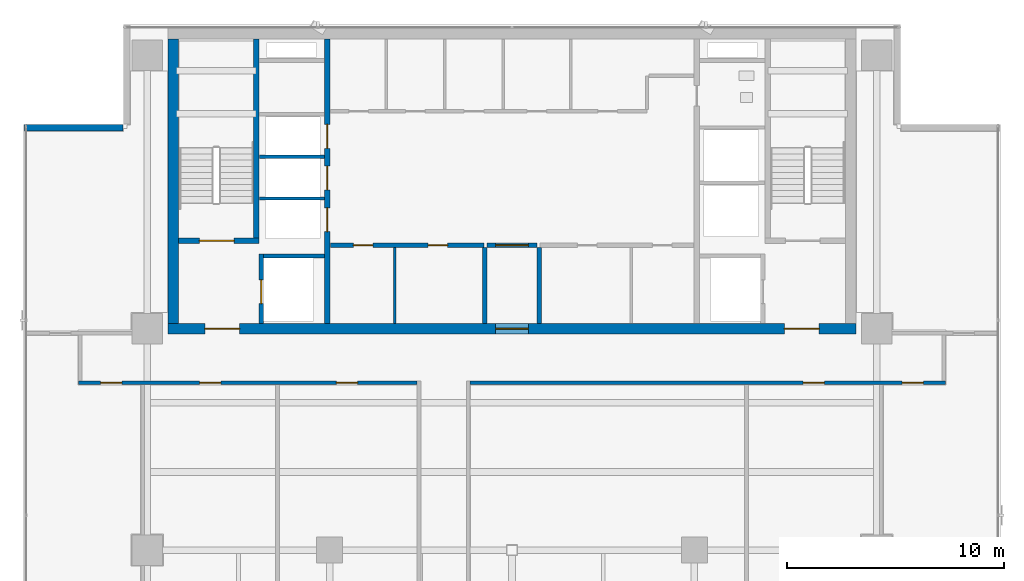
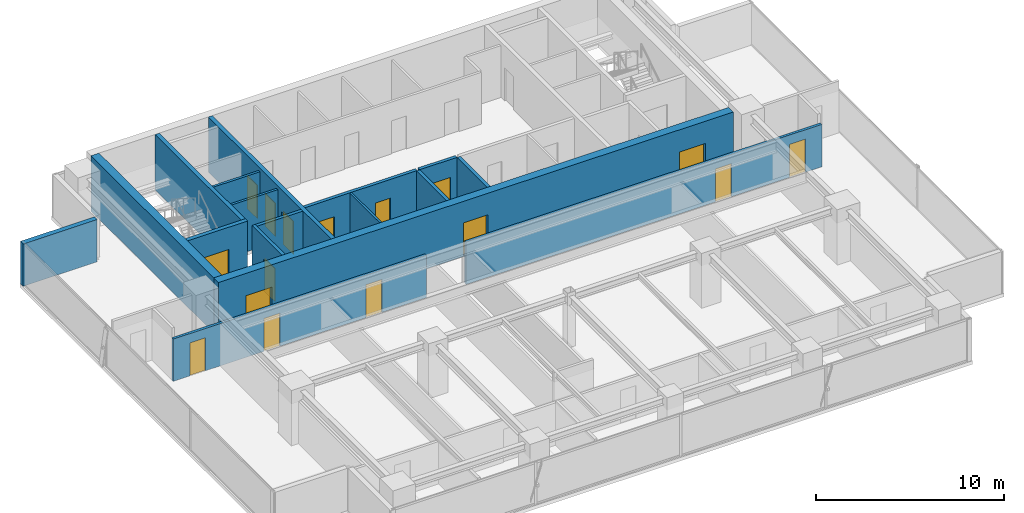
# One storey, part 20 of 27: 17 walls, 16 doors, 16 openings.
"""IFC4 building model written with IfcOpenShell, lengths in metres."""

from ifc_helpers import new_model, si_unit, direction, frame, frame_2d, origin, place, context, subcontext, project, spatial, rectangle, extrude, source, transform, mapped, material, layer, layer_set, type_object, element, fill, save


model = new_model("IFC4")

# Units and contexts
model_context = context("Model", 3, precision=1e-05, world=origin(), true_north=direction((0.0, 1.0)))
body_context = subcontext(model_context, "Body", "Model", "MODEL_VIEW")
ifc_project = project(units=[si_unit("LENGTHUNIT", "METRE"), si_unit("AREAUNIT", "SQUARE_METRE"), si_unit("VOLUMEUNIT", "CUBIC_METRE"), si_unit("PLANEANGLEUNIT", "RADIAN"), si_unit("MASSUNIT", "GRAM", prefix="KILO")], contexts=[model_context])

# Site, building, storey
site_placement = place(None, origin())
site = spatial("IfcSite", under=ifc_project, at=site_placement, CompositionType="ELEMENT")
building_placement = place(site_placement, origin())
building = spatial("IfcBuilding", under=site, at=building_placement, Name="Sumidabori Civic Tower", CompositionType="ELEMENT")
storey_placement = place(building_placement, frame((0.0, 0.0, 257.60009765625)))
storey = spatial("IfcBuildingStorey", under=building, at=storey_placement, Name="L67", CompositionType="ELEMENT", Elevation=257.60009765625)

# Wall
ifc_material_1 = material(Name="Concrete C50/60", Category="concrete")
ifc_layer_1 = layer(ifc_material_1, 0.199951171875, Name="Concrete C50/60")
ifc_layer_set_1 = layer_set([ifc_layer_1], Name="Concrete C50/60")
wall_type_1 = type_object("IfcWallType", Name="WL-SHAFT-200", PredefinedType="SHEAR", material=ifc_layer_set_1)
shared_shape_1 = source(origin(), body_context, "Body", "SweptSolid", [
    extrude(rectangle(XDim=2.824951171875, YDim=0.199951171875, at=frame_2d((1.41259765625, 0.0))), origin(), (0.0, 0.0, 1.0), 3.599853515625),
])
wall_1_placement = place(storey_placement, frame((-11.449951171875, 13.550048828125, 0.0), z_axis=(0.0, 0.0, 1.0), x_axis=(1.0, 0.0, 0.0)))
element("IfcWall", 1, at=wall_1_placement, inside=storey, type_object=wall_type_1, Name="Core Shear Wall L67 EL1-N", PredefinedType="SHEAR", context=body_context, shape_type="MappedRepresentation", body=[
    mapped(shared_shape_1, transform((0.0, 0.0, 0.0), x_axis=(1.0, 0.0, 0.0), y_axis=(0.0, 1.0, 0.0), z_axis=(0.0, 0.0, 1.0), scale=1.0)),
])

# Wall, openings, doors
ifc_layer_2 = layer(ifc_material_1, 0.5, Name="Concrete C50/60")
ifc_layer_set_2 = layer_set([ifc_layer_2], Name="Concrete C50/60")
wall_type_2 = type_object("IfcWallType", Name="WL-CORE-500", PredefinedType="SHEAR", material=ifc_layer_set_2)
shared_shape_2 = source(origin(), body_context, "Body", "SweptSolid", [
    extrude(rectangle(XDim=31.7001953125, YDim=0.5, at=frame_2d((15.85009765625, 0.0))), origin(), (0.0, 0.0, 1.0), 3.599853515625),
])
wall_2_placement = place(storey_placement, frame((-15.85009765625, 10.199951171875, 0.0), z_axis=(0.0, 0.0, 1.0), x_axis=(1.0, 0.0, 0.0)))
wall_2 = element("IfcWall", 2, at=wall_2_placement, inside=storey, type_object=wall_type_2, Name="Core Shear Wall L67 S", PredefinedType="SHEAR", context=body_context, shape_type="MappedRepresentation", body=[
    mapped(shared_shape_2, transform((0.0, 0.0, 0.0), x_axis=(1.0, 0.0, 0.0), y_axis=(0.0, 1.0, 0.0), z_axis=(0.0, 0.0, 1.0), scale=1.0)),
])
opening_1_placement = place(wall_2_placement, frame((1.699951171875, 0.0, 0.0)))
opening_1 = element("IfcOpeningElement", 3, at=opening_1_placement, cuts=wall_2, Name="Opening DR-FD4", PredefinedType="OPENING", context=body_context, shape_type="SweptSolid", body=[
    extrude(rectangle(XDim=1.60009765625, YDim=2.14990234375, at=frame_2d((0.800048828125, 1.074951171875))), frame((0.0, 0.261962890625, 0.0), z_axis=(0.0, -1.0, 0.0), x_axis=(1.0, 0.0, 0.0)), (0.0, 0.0, 1.0), 0.52392578125),
])
opening_2_placement = place(wall_2_placement, frame((28.39990234375, 0.0, 0.0)))
opening_2 = element("IfcOpeningElement", 4, at=opening_2_placement, cuts=wall_2, Name="Opening DR-FD4", PredefinedType="OPENING", context=body_context, shape_type="SweptSolid", body=[
    extrude(rectangle(XDim=1.60009765625, YDim=2.14990234375, at=frame_2d((0.800048828125, 1.074951171875))), frame((0.0, 0.261962890625, 0.0), z_axis=(0.0, -1.0, 0.0), x_axis=(1.0, 0.0, 0.0)), (0.0, 0.0, 1.0), 0.52392578125),
])
opening_3_placement = place(wall_2_placement, frame((15.10009765625, 0.0, 0.0)))
opening_3 = element("IfcOpeningElement", 5, at=opening_3_placement, cuts=wall_2, Name="Opening DR-FD3", PredefinedType="OPENING", context=body_context, shape_type="SweptSolid", body=[
    extrude(rectangle(XDim=1.5, YDim=2.199951171875, at=frame_2d((0.75, 1.10009765625))), frame((0.0, 0.261962890625, 0.0), z_axis=(0.0, -1.0, 0.0), x_axis=(1.0, 0.0, 0.0)), (0.0, 0.0, 1.0), 0.52392578125),
])
ifc_material_2 = material(Name="Steel SN490", Category="steel")
door_type_1 = type_object("IfcDoorType", Name="DR-FD4", OperationType="DOUBLE_DOOR_SINGLE_SWING", PredefinedType="DOOR", material=ifc_material_2)
shared_shape_3 = source(origin(), body_context, "Body", "SweptSolid", [
    extrude(rectangle(XDim=1.60009765625, YDim=2.14990234375, at=frame_2d((0.800048828125, 1.074951171875))), frame((0.0, 0.02490234375, 0.0), z_axis=(0.0, -1.0, 0.0), x_axis=(1.0, 0.0, 0.0)), (0.0, 0.0, 1.0), 0.050048828125),
])
door_1_placement = place(opening_1_placement, origin())
door_1 = element("IfcDoor", 6, at=door_1_placement, inside=storey, type_object=door_type_1, Name="Door DR:L67:ELOB-W", OperationType="DOUBLE_DOOR_SINGLE_SWING", OverallHeight=2.14990234375, OverallWidth=1.60009765625, PredefinedType="DOOR", context=body_context, shape_type="MappedRepresentation", body=[
    mapped(shared_shape_3, transform((0.0, 0.0, 0.0), x_axis=(1.0, 0.0, 0.0), y_axis=(0.0, 1.0, 0.0), z_axis=(0.0, 0.0, 1.0), scale=1.0)),
])
fill(opening_1, door_1)
door_2_placement = place(opening_2_placement, origin())
door_2 = element("IfcDoor", 7, at=door_2_placement, inside=storey, type_object=door_type_1, Name="Door DR:L67:ELOB-E", OperationType="DOUBLE_DOOR_SINGLE_SWING", OverallHeight=2.14990234375, OverallWidth=1.60009765625, PredefinedType="DOOR", context=body_context, shape_type="MappedRepresentation", body=[
    mapped(shared_shape_3, transform((0.0, 0.0, 0.0), x_axis=(1.0, 0.0, 0.0), y_axis=(0.0, 1.0, 0.0), z_axis=(0.0, 0.0, 1.0), scale=1.0)),
])
fill(opening_2, door_2)
door_type_2 = type_object("IfcDoorType", Name="DR-FD-DBL", OperationType="DOUBLE_DOOR_SINGLE_SWING", PredefinedType="DOOR", material=ifc_material_2)
shared_shape_4 = source(origin(), body_context, "Body", "SweptSolid", [
    extrude(rectangle(XDim=1.5, YDim=2.199951171875, at=frame_2d((0.75, 1.10009765625))), frame((0.0, 0.02490234375, 0.0), z_axis=(0.0, -1.0, 0.0), x_axis=(1.0, 0.0, 0.0)), (0.0, 0.0, 1.0), 0.050048828125),
])
door_3_placement = place(opening_3_placement, origin())
door_3 = element("IfcDoor", 8, at=door_3_placement, inside=storey, type_object=door_type_2, Name="Door DR:L67:THROAT-OUT", OperationType="DOUBLE_DOOR_SINGLE_SWING", OverallHeight=2.199951171875, OverallWidth=1.5, PredefinedType="DOOR", context=body_context, shape_type="MappedRepresentation", body=[
    mapped(shared_shape_4, transform((0.0, 0.0, 0.0), x_axis=(1.0, 0.0, 0.0), y_axis=(0.0, 1.0, 0.0), z_axis=(0.0, 0.0, 1.0), scale=1.0)),
])
fill(opening_3, door_3)

# Wall
shared_shape_5 = source(origin(), body_context, "Body", "SweptSolid", [
    extrude(rectangle(XDim=13.10009765625, YDim=0.5, at=frame_2d((6.550048828125, 0.0))), origin(), (0.0, 0.0, 1.0), 3.599853515625),
])
wall_3_placement = place(storey_placement, frame((-15.60009765625, 10.449951171875, 0.0), z_axis=(0.0, 0.0, 1.0), x_axis=(0.0, 1.0, 0.0)))
element("IfcWall", 9, at=wall_3_placement, inside=storey, type_object=wall_type_2, Name="Core Shear Wall L67 W", PredefinedType="SHEAR", context=body_context, shape_type="MappedRepresentation", body=[
    mapped(shared_shape_5, transform((0.0, 0.0, 0.0), x_axis=(1.0, 0.0, 0.0), y_axis=(0.0, 1.0, 0.0), z_axis=(0.0, 0.0, 1.0), scale=1.0)),
])

# Wall, openings, doors
ifc_layer_3 = layer(ifc_material_1, 0.25, Name="Concrete C50/60")
ifc_layer_set_3 = layer_set([ifc_layer_3], Name="Concrete C50/60")
wall_type_3 = type_object("IfcWallType", Name="WL-SHAFT-250", PredefinedType="SHEAR", material=ifc_layer_set_3)
shared_shape_6 = source(origin(), body_context, "Body", "SweptSolid", [
    extrude(rectangle(XDim=13.10009765625, YDim=0.25, at=frame_2d((6.550048828125, 0.0))), origin(), (0.0, 0.0, 1.0), 3.599853515625),
])
wall_4_placement = place(storey_placement, frame((-8.5, 10.449951171875, 0.0), z_axis=(0.0, 0.0, 1.0), x_axis=(0.0, 1.0, 0.0)))
wall_4 = element("IfcWall", 10, at=wall_4_placement, inside=storey, type_object=wall_type_3, Name="Core Shear Wall L67 WEB-W", PredefinedType="SHEAR", context=body_context, shape_type="MappedRepresentation", body=[
    mapped(shared_shape_6, transform((0.0, 0.0, 0.0), x_axis=(1.0, 0.0, 0.0), y_axis=(0.0, 1.0, 0.0), z_axis=(0.0, 0.0, 1.0), scale=1.0)),
])
opening_4_placement = place(wall_4_placement, frame((4.219970703125, 0.0, 0.0)))
opening_4 = element("IfcOpeningElement", 11, at=opening_4_placement, cuts=wall_4, Name="Opening LD-1", PredefinedType="OPENING", context=body_context, shape_type="SweptSolid", body=[
    extrude(rectangle(XDim=1.10009765625, YDim=2.14990234375, at=frame_2d((0.550048828125, 1.074951171875))), frame((0.0, 0.136962890625, 0.0), z_axis=(0.0, -1.0, 0.0), x_axis=(1.0, 0.0, 0.0)), (0.0, 0.0, 1.0), 0.27392578125),
])
opening_5_placement = place(wall_4_placement, frame((6.139892578125, 0.0, 0.0)))
opening_5 = element("IfcOpeningElement", 12, at=opening_5_placement, cuts=wall_4, Name="Opening LD-1", PredefinedType="OPENING", context=body_context, shape_type="SweptSolid", body=[
    extrude(rectangle(XDim=1.10009765625, YDim=2.14990234375, at=frame_2d((0.550048828125, 1.074951171875))), frame((0.0, 0.136962890625, 0.0), z_axis=(0.0, -1.0, 0.0), x_axis=(1.0, 0.0, 0.0)), (0.0, 0.0, 1.0), 0.27392578125),
])
opening_6_placement = place(wall_4_placement, frame((8.06005859375, 0.0, 0.0)))
opening_6 = element("IfcOpeningElement", 13, at=opening_6_placement, cuts=wall_4, Name="Opening LD-1", PredefinedType="OPENING", context=body_context, shape_type="SweptSolid", body=[
    extrude(rectangle(XDim=1.10009765625, YDim=2.14990234375, at=frame_2d((0.550048828125, 1.074951171875))), frame((0.0, 0.136962890625, 0.0), z_axis=(0.0, -1.0, 0.0), x_axis=(1.0, 0.0, 0.0)), (0.0, 0.0, 1.0), 0.27392578125),
])
ifc_material_3 = material(Name="Stainless Steel Hairline Finish", Category="steel")
door_type_3 = type_object("IfcDoorType", Name="DR-LD1", OperationType="DOUBLE_DOOR_SLIDING", PredefinedType="DOOR", material=ifc_material_3)
shared_shape_7 = source(origin(), body_context, "Body", "SweptSolid", [
    extrude(rectangle(XDim=1.10009765625, YDim=2.14990234375, at=frame_2d((0.550048828125, 1.074951171875))), frame((0.0, 0.02490234375, 0.0), z_axis=(0.0, -1.0, 0.0), x_axis=(1.0, 0.0, 0.0)), (0.0, 0.0, 1.0), 0.050048828125),
])
door_4_placement = place(opening_4_placement, origin())
door_4 = element("IfcDoor", 14, at=door_4_placement, inside=storey, type_object=door_type_3, Name="Door DR:L67:LD-PLH1", OperationType="DOUBLE_DOOR_SLIDING", OverallHeight=2.14990234375, OverallWidth=1.10009765625, PredefinedType="DOOR", context=body_context, shape_type="MappedRepresentation", body=[
    mapped(shared_shape_7, transform((0.0, 0.0, 0.0), x_axis=(1.0, 0.0, 0.0), y_axis=(0.0, 1.0, 0.0), z_axis=(0.0, 0.0, 1.0), scale=1.0)),
])
fill(opening_4, door_4)
door_5_placement = place(opening_5_placement, origin())
door_5 = element("IfcDoor", 15, at=door_5_placement, inside=storey, type_object=door_type_3, Name="Door DR:L67:LD-PLH2", OperationType="DOUBLE_DOOR_SLIDING", OverallHeight=2.14990234375, OverallWidth=1.10009765625, PredefinedType="DOOR", context=body_context, shape_type="MappedRepresentation", body=[
    mapped(shared_shape_7, transform((0.0, 0.0, 0.0), x_axis=(1.0, 0.0, 0.0), y_axis=(0.0, 1.0, 0.0), z_axis=(0.0, 0.0, 1.0), scale=1.0)),
])
fill(opening_5, door_5)
door_6_placement = place(opening_6_placement, origin())
door_6 = element("IfcDoor", 16, at=door_6_placement, inside=storey, type_object=door_type_3, Name="Door DR:L67:LD-PLH3", OperationType="DOUBLE_DOOR_SLIDING", OverallHeight=2.14990234375, OverallWidth=1.10009765625, PredefinedType="DOOR", context=body_context, shape_type="MappedRepresentation", body=[
    mapped(shared_shape_7, transform((0.0, 0.0, 0.0), x_axis=(1.0, 0.0, 0.0), y_axis=(0.0, 1.0, 0.0), z_axis=(0.0, 0.0, 1.0), scale=1.0)),
])
fill(opening_6, door_6)

# Wall, opening, door
shared_shape_8 = source(origin(), body_context, "Body", "SweptSolid", [
    extrude(rectangle(XDim=3.705078125, YDim=0.25, at=frame_2d((1.8525390625, 0.0))), origin(), (0.0, 0.0, 1.0), 3.599853515625),
])
wall_5_placement = place(storey_placement, frame((-15.35009765625, 14.25, 0.0), z_axis=(0.0, 0.0, 1.0), x_axis=(1.0, 0.0, 0.0)))
wall_5 = element("IfcWall", 17, at=wall_5_placement, inside=storey, type_object=wall_type_3, Name="Core Shear Wall L67 ST1-S", PredefinedType="SHEAR", context=body_context, shape_type="MappedRepresentation", body=[
    mapped(shared_shape_8, transform((0.0, 0.0, 0.0), x_axis=(1.0, 0.0, 0.0), y_axis=(0.0, 1.0, 0.0), z_axis=(0.0, 0.0, 1.0), scale=1.0)),
])
opening_7_placement = place(wall_5_placement, frame((0.949951171875, 0.0, 0.0)))
opening_7 = element("IfcOpeningElement", 18, at=opening_7_placement, cuts=wall_5, Name="Opening DR-FD4", PredefinedType="OPENING", context=body_context, shape_type="SweptSolid", body=[
    extrude(rectangle(XDim=1.60009765625, YDim=2.14990234375, at=frame_2d((0.800048828125, 1.074951171875))), frame((0.0, 0.136962890625, 0.0), z_axis=(0.0, -1.0, 0.0), x_axis=(1.0, 0.0, 0.0)), (0.0, 0.0, 1.0), 0.27392578125),
])
door_7_placement = place(opening_7_placement, origin())
door_7 = element("IfcDoor", 19, at=door_7_placement, inside=storey, type_object=door_type_1, Name="Door DR:L67:ST1", OperationType="DOUBLE_DOOR_SINGLE_SWING", OverallHeight=2.14990234375, OverallWidth=1.60009765625, PredefinedType="DOOR", context=body_context, shape_type="MappedRepresentation", body=[
    mapped(shared_shape_3, transform((0.0, 0.0, 0.0), x_axis=(1.0, 0.0, 0.0), y_axis=(0.0, 1.0, 0.0), z_axis=(0.0, 0.0, 1.0), scale=1.0)),
])
fill(opening_7, door_7)

# Wall
shared_shape_9 = source(origin(), body_context, "Body", "SweptSolid", [
    extrude(rectangle(XDim=9.175048828125, YDim=0.25, at=frame_2d((4.58740234375, 0.0))), origin(), (0.0, 0.0, 1.0), 3.599853515625),
])
wall_6_placement = place(storey_placement, frame((-11.77001953125, 14.375, 0.0), z_axis=(0.0, 0.0, 1.0), x_axis=(0.0, 1.0, 0.0)))
element("IfcWall", 20, at=wall_6_placement, inside=storey, type_object=wall_type_3, Name="Core Shear Wall L67 ST1-E", PredefinedType="SHEAR", context=body_context, shape_type="MappedRepresentation", body=[
    mapped(shared_shape_9, transform((0.0, 0.0, 0.0), x_axis=(1.0, 0.0, 0.0), y_axis=(0.0, 1.0, 0.0), z_axis=(0.0, 0.0, 1.0), scale=1.0)),
])

# Wall, opening, door
shared_shape_10 = source(origin(), body_context, "Body", "SweptSolid", [
    extrude(rectangle(XDim=3.199951171875, YDim=0.199951171875, at=frame_2d((1.60009765625, 0.0))), origin(), (0.0, 0.0, 1.0), 3.599853515625),
])
wall_7_placement = place(storey_placement, frame((-11.550048828125, 10.449951171875, 0.0), z_axis=(0.0, 0.0, 1.0), x_axis=(0.0, 1.0, 0.0)))
wall_7 = element("IfcWall", 21, at=wall_7_placement, inside=storey, type_object=wall_type_1, Name="Core Shear Wall L67 EL1-W", PredefinedType="SHEAR", context=body_context, shape_type="MappedRepresentation", body=[
    mapped(shared_shape_10, transform((0.0, 0.0, 0.0), x_axis=(1.0, 0.0, 0.0), y_axis=(0.0, 1.0, 0.0), z_axis=(0.0, 0.0, 1.0), scale=1.0)),
])
opening_8_placement = place(wall_7_placement, frame((0.89990234375, 0.0, 0.0)))
opening_8 = element("IfcOpeningElement", 22, at=opening_8_placement, cuts=wall_7, Name="Opening LD-2", PredefinedType="OPENING", context=body_context, shape_type="SweptSolid", body=[
    extrude(rectangle(XDim=1.10009765625, YDim=2.14990234375, at=frame_2d((0.550048828125, 1.074951171875))), frame((0.0, 0.11181640625, 0.0), z_axis=(0.0, -1.0, 0.0), x_axis=(1.0, 0.0, 0.0)), (0.0, 0.0, 1.0), 0.223876953125),
])
door_type_4 = type_object("IfcDoorType", Name="DR-LD2", OperationType="DOUBLE_DOOR_SLIDING", PredefinedType="DOOR", material=ifc_material_3)
door_8_placement = place(opening_8_placement, origin())
door_8 = element("IfcDoor", 23, at=door_8_placement, inside=storey, type_object=door_type_4, Name="Door DR:L67:LD-EL1", OperationType="DOUBLE_DOOR_SLIDING", OverallHeight=2.14990234375, OverallWidth=1.10009765625, PredefinedType="DOOR", context=body_context, shape_type="MappedRepresentation", body=[
    mapped(shared_shape_7, transform((0.0, 0.0, 0.0), x_axis=(1.0, 0.0, 0.0), y_axis=(0.0, 1.0, 0.0), z_axis=(0.0, 0.0, 1.0), scale=1.0)),
])
fill(opening_8, door_8)

# Walls
ifc_material_4 = material(Name="Precast concrete C40/50", Category="concrete")
ifc_layer_4 = layer(ifc_material_4, 0.300048828125, Name="Precast concrete C40/50")
ifc_layer_set_4 = layer_set([ifc_layer_4], Name="Precast concrete C40/50")
wall_type_4 = type_object("IfcWallType", Name="WL-EXT-POD300", PredefinedType="STANDARD", material=ifc_layer_set_4)
shared_shape_11 = source(origin(), body_context, "Body", "SweptSolid", [
    extrude(rectangle(XDim=4.56005859375, YDim=0.300048828125, at=frame_2d((2.280029296875, 0.0))), origin(), (0.0, 0.0, 1.0), 2.75),
])
wall_8_placement = place(storey_placement, frame((-17.919921875, 19.449951171875, 0.0), z_axis=(0.0, 0.0, 1.0), x_axis=(-1.0, 0.0, 0.0)))
element("IfcWall", 24, at=wall_8_placement, inside=storey, type_object=wall_type_4, Name="Notched Corner Spandrel Band L67-09", PredefinedType="STANDARD", context=body_context, shape_type="MappedRepresentation", body=[
    mapped(shared_shape_11, transform((0.0, 0.0, 0.0), x_axis=(1.0, 0.0, 0.0), y_axis=(0.0, 1.0, 0.0), z_axis=(0.0, 0.0, 1.0), scale=1.0)),
])
ifc_material_5 = material(Name="Gypsum Plasterboard Acoustic Partition")
ifc_layer_5 = layer(ifc_material_5, 0.14990234375, Name="Gypsum Plasterboard Acoustic Partition")
ifc_layer_set_5 = layer_set([ifc_layer_5], Name="Gypsum Plasterboard Acoustic Partition")
wall_type_5 = type_object("IfcWallType", Name="WL-PART-150", PredefinedType="PARTITIONING", material=ifc_layer_set_5)
shared_shape_12 = source(origin(), body_context, "Body", "SweptSolid", [
    extrude(rectangle(XDim=3.010009765625, YDim=0.14990234375, at=frame_2d((1.5048828125, 0.0))), origin(), (0.0, 0.0, 1.0), 3.369873046875),
])
for number, where, z_axis, x_axis, name in (
    (25, (-11.639892578125, 16.199951171875, 0.0), (0.0, 0.0, 1.0), (1.0, 0.0, 0.0), "Interior Partition WL:L67:DIV-PLH1"),
    (26, (-11.639892578125, 18.1201171875, 0.0), (0.0, 0.0, 1.0), (1.0, 0.0, 0.0), "Interior Partition WL:L67:DIV-PLH2"),
):
    element("IfcWall", number, at=place(storey_placement, frame(where, z_axis=z_axis, x_axis=x_axis)), inside=storey, type_object=wall_type_5, Name=name, PredefinedType="PARTITIONING", context=body_context, shape_type="MappedRepresentation", body=[
        mapped(shared_shape_12, transform((0.0, 0.0, 0.0), x_axis=(1.0, 0.0, 0.0), y_axis=(0.0, 1.0, 0.0), z_axis=(0.0, 0.0, 1.0), scale=1.0)),
    ])

# Wall, openings, doors
ifc_material_6 = material(Name="Gypsum Plasterboard Fire Partition")
ifc_layer_6 = layer(ifc_material_6, 0.199951171875, Name="Gypsum Plasterboard Fire Partition")
ifc_layer_set_6 = layer_set([ifc_layer_6], Name="Gypsum Plasterboard Fire Partition")
wall_type_6 = type_object("IfcWallType", Name="WL-PART-FIRE", PredefinedType="PARTITIONING", material=ifc_layer_set_6)
shared_shape_13 = source(origin(), body_context, "Body", "SweptSolid", [
    extrude(rectangle(XDim=7.070068359375, YDim=0.199951171875, at=frame_2d((3.53515625, 0.0))), origin(), (0.0, 0.0, 1.0), 3.369873046875),
])
wall_9_placement = place(storey_placement, frame((-8.3701171875, 14.050048828125, 0.0), z_axis=(0.0, 0.0, 1.0), x_axis=(1.0, 0.0, 0.0)))
wall_9 = element("IfcWall", 27, at=wall_9_placement, inside=storey, type_object=wall_type_6, Name="Interior Partition WL:L67:CBAND-SW", PredefinedType="PARTITIONING", context=body_context, shape_type="MappedRepresentation", body=[
    mapped(shared_shape_13, transform((0.0, 0.0, 0.0), x_axis=(1.0, 0.0, 0.0), y_axis=(0.0, 1.0, 0.0), z_axis=(0.0, 0.0, 1.0), scale=1.0)),
])
opening_9_placement = place(wall_9_placement, frame((1.06005859375, 0.0, 0.0)))
opening_9 = element("IfcOpeningElement", 28, at=opening_9_placement, cuts=wall_9, Name="Opening DR-1", PredefinedType="OPENING", context=body_context, shape_type="SweptSolid", body=[
    extrude(rectangle(XDim=0.89990234375, YDim=2.14990234375, at=frame_2d((0.449951171875, 1.074951171875))), frame((0.0, 0.11181640625, 0.0), z_axis=(0.0, -1.0, 0.0), x_axis=(1.0, 0.0, 0.0)), (0.0, 0.0, 1.0), 0.223876953125),
])
opening_10_placement = place(wall_9_placement, frame((4.510009765625, 0.0, 0.0)))
opening_10 = element("IfcOpeningElement", 29, at=opening_10_placement, cuts=wall_9, Name="Opening DR-1", PredefinedType="OPENING", context=body_context, shape_type="SweptSolid", body=[
    extrude(rectangle(XDim=0.89990234375, YDim=2.14990234375, at=frame_2d((0.449951171875, 1.074951171875))), frame((0.0, 0.11181640625, 0.0), z_axis=(0.0, -1.0, 0.0), x_axis=(1.0, 0.0, 0.0)), (0.0, 0.0, 1.0), 0.223876953125),
])
ifc_material_7 = material(Name="Japanese Hinoki Timber", Category="wood")
door_type_5 = type_object("IfcDoorType", Name="DR-INT-900", OperationType="NOTDEFINED", PredefinedType="DOOR", material=ifc_material_7)
shared_shape_14 = source(origin(), body_context, "Body", "SweptSolid", [
    extrude(rectangle(XDim=0.89990234375, YDim=2.14990234375, at=frame_2d((0.449951171875, 1.074951171875))), frame((0.0, 0.02490234375, 0.0), z_axis=(0.0, -1.0, 0.0), x_axis=(1.0, 0.0, 0.0)), (0.0, 0.0, 1.0), 0.050048828125),
])
door_9_placement = place(opening_9_placement, origin())
door_9 = element("IfcDoor", 30, at=door_9_placement, inside=storey, type_object=door_type_5, Name="Door DR:L67:REC-B1A", OperationType="SINGLE_SWING_LEFT", OverallHeight=2.14990234375, OverallWidth=0.89990234375, PredefinedType="DOOR", context=body_context, shape_type="MappedRepresentation", body=[
    mapped(shared_shape_14, transform((0.0, 0.0, 0.0), x_axis=(1.0, 0.0, 0.0), y_axis=(0.0, 1.0, 0.0), z_axis=(0.0, 0.0, 1.0), scale=1.0)),
])
fill(opening_9, door_9)
door_10_placement = place(opening_10_placement, origin())
door_10 = element("IfcDoor", 31, at=door_10_placement, inside=storey, type_object=door_type_5, Name="Door DR:L67:REC-B1B", OperationType="SINGLE_SWING_RIGHT", OverallHeight=2.14990234375, OverallWidth=0.89990234375, PredefinedType="DOOR", context=body_context, shape_type="MappedRepresentation", body=[
    mapped(shared_shape_14, transform((0.0, 0.0, 0.0), x_axis=(1.0, 0.0, 0.0), y_axis=(0.0, 1.0, 0.0), z_axis=(0.0, 0.0, 1.0), scale=1.0)),
])
fill(opening_10, door_10)

# Walls
shared_shape_15 = source(origin(), body_context, "Body", "SweptSolid", [
    extrude(rectangle(XDim=3.489990234375, YDim=0.199951171875, at=frame_2d((1.7451171875, 0.0))), origin(), (0.0, 0.0, 1.0), 3.369873046875),
])
for number, where, z_axis, x_axis, name in (
    (32, (-1.25, 10.449951171875, 0.0), (0.0, 0.0, 1.0), (0.0, 1.0, 0.0), "Interior Partition WL:L67:THROAT-W"),
    (33, (1.25, 10.449951171875, 0.0), (0.0, 0.0, 1.0), (0.0, 1.0, 0.0), "Interior Partition WL:L67:THROAT-E"),
):
    element("IfcWall", number, at=place(storey_placement, frame(where, z_axis=z_axis, x_axis=x_axis)), inside=storey, type_object=wall_type_6, Name=name, PredefinedType="PARTITIONING", context=body_context, shape_type="MappedRepresentation", body=[
        mapped(shared_shape_15, transform((0.0, 0.0, 0.0), x_axis=(1.0, 0.0, 0.0), y_axis=(0.0, 1.0, 0.0), z_axis=(0.0, 0.0, 1.0), scale=1.0)),
    ])

# Wall, opening, door
shared_shape_16 = source(origin(), body_context, "Body", "SweptSolid", [
    extrude(rectangle(XDim=2.2998046875, YDim=0.199951171875, at=frame_2d((1.14990234375, 0.0))), origin(), (0.0, 0.0, 1.0), 3.369873046875),
])
wall_10_placement = place(storey_placement, frame((-1.14990234375, 14.050048828125, 0.0), z_axis=(0.0, 0.0, 1.0), x_axis=(1.0, 0.0, 0.0)))
wall_10 = element("IfcWall", 34, at=wall_10_placement, inside=storey, type_object=wall_type_6, Name="Interior Partition WL:L67:THROAT-N", PredefinedType="PARTITIONING", context=body_context, shape_type="MappedRepresentation", body=[
    mapped(shared_shape_16, transform((0.0, 0.0, 0.0), x_axis=(1.0, 0.0, 0.0), y_axis=(0.0, 1.0, 0.0), z_axis=(0.0, 0.0, 1.0), scale=1.0)),
])
opening_11_placement = place(wall_10_placement, frame((0.39990234375, 0.0, 0.0)))
opening_11 = element("IfcOpeningElement", 35, at=opening_11_placement, cuts=wall_10, Name="Opening DR-FD3", PredefinedType="OPENING", context=body_context, shape_type="SweptSolid", body=[
    extrude(rectangle(XDim=1.5, YDim=2.199951171875, at=frame_2d((0.75, 1.10009765625))), frame((0.0, 0.11181640625, 0.0), z_axis=(0.0, -1.0, 0.0), x_axis=(1.0, 0.0, 0.0)), (0.0, 0.0, 1.0), 0.223876953125),
])
door_11_placement = place(opening_11_placement, origin())
door_11 = element("IfcDoor", 36, at=door_11_placement, inside=storey, type_object=door_type_2, Name="Door DR:L67:THROAT-IN", OperationType="DOUBLE_DOOR_SINGLE_SWING", OverallHeight=2.199951171875, OverallWidth=1.5, PredefinedType="DOOR", context=body_context, shape_type="MappedRepresentation", body=[
    mapped(shared_shape_4, transform((0.0, 0.0, 0.0), x_axis=(1.0, 0.0, 0.0), y_axis=(0.0, 1.0, 0.0), z_axis=(0.0, 0.0, 1.0), scale=1.0)),
])
fill(opening_11, door_11)

# Wall
ifc_layer_7 = layer(ifc_material_5, 0.1201171875, Name="Gypsum Plasterboard Acoustic Partition")
ifc_layer_set_7 = layer_set([ifc_layer_7], Name="Gypsum Plasterboard Acoustic Partition")
wall_type_7 = type_object("IfcWallType", Name="WL-PART-120", PredefinedType="PARTITIONING", material=ifc_layer_set_7)
shared_shape_17 = source(origin(), body_context, "Body", "SweptSolid", [
    extrude(rectangle(XDim=3.489990234375, YDim=0.1201171875, at=frame_2d((1.7451171875, 0.0))), origin(), (0.0, 0.0, 1.0), 3.369873046875),
])
wall_11_placement = place(storey_placement, frame((-5.39990234375, 10.449951171875, 0.0), z_axis=(0.0, 0.0, 1.0), x_axis=(0.0, 1.0, 0.0)))
element("IfcWall", 37, at=wall_11_placement, inside=storey, type_object=wall_type_7, Name="Interior Partition WL:L67:REC-B1-SP", PredefinedType="PARTITIONING", context=body_context, shape_type="MappedRepresentation", body=[
    mapped(shared_shape_17, transform((0.0, 0.0, 0.0), x_axis=(1.0, 0.0, 0.0), y_axis=(0.0, 1.0, 0.0), z_axis=(0.0, 0.0, 1.0), scale=1.0)),
])

# Wall, openings, doors
ifc_layer_8 = layer(ifc_material_5, 0.1650390625, Name="Gypsum Plasterboard Acoustic Partition")
ifc_layer_set_8 = layer_set([ifc_layer_8], Name="Gypsum Plasterboard Acoustic Partition")
wall_type_8 = type_object("IfcWallType", Name="WL-PART-165", PredefinedType="PARTITIONING", material=ifc_layer_set_8)
shared_shape_18 = source(origin(), body_context, "Body", "SweptSolid", [
    extrude(rectangle(XDim=15.60009765625, YDim=0.1650390625, at=frame_2d((7.800048828125, 0.0))), origin(), (0.0, 0.0, 1.0), 2.7548828125),
])
wall_12_placement = place(storey_placement, frame((-19.965087890625, 7.717529296875, 0.0), z_axis=(0.0, 0.0, 1.0), x_axis=(1.0, 0.0, 0.0)))
wall_12 = element("IfcWall", 38, at=wall_12_placement, inside=storey, type_object=wall_type_8, Name="Interior Partition WL:L67:CORR-SW", PredefinedType="PARTITIONING", context=body_context, shape_type="MappedRepresentation", body=[
    mapped(shared_shape_18, transform((0.0, 0.0, 0.0), x_axis=(1.0, 0.0, 0.0), y_axis=(0.0, 1.0, 0.0), z_axis=(0.0, 0.0, 1.0), scale=1.0)),
])
opening_12_placement = place(wall_12_placement, frame((1.013916015625, 0.0, 0.0)))
opening_12 = element("IfcOpeningElement", 39, at=opening_12_placement, cuts=wall_12, Name="Opening DR-3", PredefinedType="OPENING", context=body_context, shape_type="SweptSolid", body=[
    extrude(rectangle(XDim=0.97998046875, YDim=2.14990234375, at=frame_2d((0.489990234375, 1.074951171875))), frame((0.0, 0.094482421875, 0.0), z_axis=(0.0, -1.0, 0.0), x_axis=(1.0, 0.0, 0.0)), (0.0, 0.0, 1.0), 0.18896484375),
])
opening_13_placement = place(wall_12_placement, frame((5.574951171875, 0.0, 0.0)))
opening_13 = element("IfcOpeningElement", 40, at=opening_13_placement, cuts=wall_12, Name="Opening DR-3", PredefinedType="OPENING", context=body_context, shape_type="SweptSolid", body=[
    extrude(rectangle(XDim=0.97998046875, YDim=2.14990234375, at=frame_2d((0.489990234375, 1.074951171875))), frame((0.0, 0.094482421875, 0.0), z_axis=(0.0, -1.0, 0.0), x_axis=(1.0, 0.0, 0.0)), (0.0, 0.0, 1.0), 0.18896484375),
])
opening_14_placement = place(wall_12_placement, frame((11.873779296875, 0.0, 0.0)))
opening_14 = element("IfcOpeningElement", 41, at=opening_14_placement, cuts=wall_12, Name="Opening DR-3", PredefinedType="OPENING", context=body_context, shape_type="SweptSolid", body=[
    extrude(rectangle(XDim=0.97998046875, YDim=2.14990234375, at=frame_2d((0.489990234375, 1.074951171875))), frame((0.0, 0.094482421875, 0.0), z_axis=(0.0, -1.0, 0.0), x_axis=(1.0, 0.0, 0.0)), (0.0, 0.0, 1.0), 0.18896484375),
])
door_type_6 = type_object("IfcDoorType", Name="DR-INT-980", OperationType="NOTDEFINED", PredefinedType="DOOR", material=ifc_material_7)
shared_shape_19 = source(origin(), body_context, "Body", "SweptSolid", [
    extrude(rectangle(XDim=0.97998046875, YDim=2.14990234375, at=frame_2d((0.489990234375, 1.074951171875))), frame((0.0, 0.02490234375, 0.0), z_axis=(0.0, -1.0, 0.0), x_axis=(1.0, 0.0, 0.0)), (0.0, 0.0, 1.0), 0.050048828125),
])
door_12_placement = place(opening_12_placement, origin())
door_12 = element("IfcDoor", 42, at=door_12_placement, inside=storey, type_object=door_type_6, Name="Door DR:L67:D01", OperationType="SINGLE_SWING_LEFT", OverallHeight=2.14990234375, OverallWidth=0.97998046875, PredefinedType="DOOR", context=body_context, shape_type="MappedRepresentation", body=[
    mapped(shared_shape_19, transform((0.0, 0.0, 0.0), x_axis=(1.0, 0.0, 0.0), y_axis=(0.0, 1.0, 0.0), z_axis=(0.0, 0.0, 1.0), scale=1.0)),
])
fill(opening_12, door_12)
door_13_placement = place(opening_13_placement, origin())
door_13 = element("IfcDoor", 43, at=door_13_placement, inside=storey, type_object=door_type_6, Name="Door DR:L67:D03", OperationType="SINGLE_SWING_LEFT", OverallHeight=2.14990234375, OverallWidth=0.97998046875, PredefinedType="DOOR", context=body_context, shape_type="MappedRepresentation", body=[
    mapped(shared_shape_19, transform((0.0, 0.0, 0.0), x_axis=(1.0, 0.0, 0.0), y_axis=(0.0, 1.0, 0.0), z_axis=(0.0, 0.0, 1.0), scale=1.0)),
])
fill(opening_13, door_13)
door_14_placement = place(opening_14_placement, origin())
door_14 = element("IfcDoor", 44, at=door_14_placement, inside=storey, type_object=door_type_6, Name="Door DR:L67:D05", OperationType="SINGLE_SWING_LEFT", OverallHeight=2.14990234375, OverallWidth=0.97998046875, PredefinedType="DOOR", context=body_context, shape_type="MappedRepresentation", body=[
    mapped(shared_shape_19, transform((0.0, 0.0, 0.0), x_axis=(1.0, 0.0, 0.0), y_axis=(0.0, 1.0, 0.0), z_axis=(0.0, 0.0, 1.0), scale=1.0)),
])
fill(opening_14, door_14)

shared_shape_20 = source(origin(), body_context, "Body", "SweptSolid", [
    extrude(rectangle(XDim=21.900146484375, YDim=0.1650390625, at=frame_2d((10.9501953125, 0.0))), origin(), (0.0, 0.0, 1.0), 2.7548828125),
])
wall_13_placement = place(storey_placement, frame((-1.93505859375, 7.717529296875, 0.0), z_axis=(0.0, 0.0, 1.0), x_axis=(1.0, 0.0, 0.0)))
wall_13 = element("IfcWall", 45, at=wall_13_placement, inside=storey, type_object=wall_type_8, Name="Interior Partition WL:L67:CORR-SE", PredefinedType="PARTITIONING", context=body_context, shape_type="MappedRepresentation", body=[
    mapped(shared_shape_20, transform((0.0, 0.0, 0.0), x_axis=(1.0, 0.0, 0.0), y_axis=(0.0, 1.0, 0.0), z_axis=(0.0, 0.0, 1.0), scale=1.0)),
])
opening_15_placement = place(wall_13_placement, frame((19.90625, 0.0, 0.0)))
opening_15 = element("IfcOpeningElement", 46, at=opening_15_placement, cuts=wall_13, Name="Opening DR-3", PredefinedType="OPENING", context=body_context, shape_type="SweptSolid", body=[
    extrude(rectangle(XDim=0.97998046875, YDim=2.14990234375, at=frame_2d((0.489990234375, 1.074951171875))), frame((0.0, 0.094482421875, 0.0), z_axis=(0.0, -1.0, 0.0), x_axis=(1.0, 0.0, 0.0)), (0.0, 0.0, 1.0), 0.18896484375),
])
opening_16_placement = place(wall_13_placement, frame((15.344970703125, 0.0, 0.0)))
opening_16 = element("IfcOpeningElement", 47, at=opening_16_placement, cuts=wall_13, Name="Opening DR-3", PredefinedType="OPENING", context=body_context, shape_type="SweptSolid", body=[
    extrude(rectangle(XDim=0.97998046875, YDim=2.14990234375, at=frame_2d((0.489990234375, 1.074951171875))), frame((0.0, 0.094482421875, 0.0), z_axis=(0.0, -1.0, 0.0), x_axis=(1.0, 0.0, 0.0)), (0.0, 0.0, 1.0), 0.18896484375),
])
door_15_placement = place(opening_15_placement, origin())
door_15 = element("IfcDoor", 48, at=door_15_placement, inside=storey, type_object=door_type_6, Name="Door DR:L67:D02", OperationType="SINGLE_SWING_RIGHT", OverallHeight=2.14990234375, OverallWidth=0.97998046875, PredefinedType="DOOR", context=body_context, shape_type="MappedRepresentation", body=[
    mapped(shared_shape_19, transform((0.0, 0.0, 0.0), x_axis=(1.0, 0.0, 0.0), y_axis=(0.0, 1.0, 0.0), z_axis=(0.0, 0.0, 1.0), scale=1.0)),
])
fill(opening_15, door_15)
door_16_placement = place(opening_16_placement, origin())
door_16 = element("IfcDoor", 49, at=door_16_placement, inside=storey, type_object=door_type_6, Name="Door DR:L67:D04", OperationType="SINGLE_SWING_RIGHT", OverallHeight=2.14990234375, OverallWidth=0.97998046875, PredefinedType="DOOR", context=body_context, shape_type="MappedRepresentation", body=[
    mapped(shared_shape_19, transform((0.0, 0.0, 0.0), x_axis=(1.0, 0.0, 0.0), y_axis=(0.0, 1.0, 0.0), z_axis=(0.0, 0.0, 1.0), scale=1.0)),
])
fill(opening_16, door_16)

save(model, "model.ifc")
